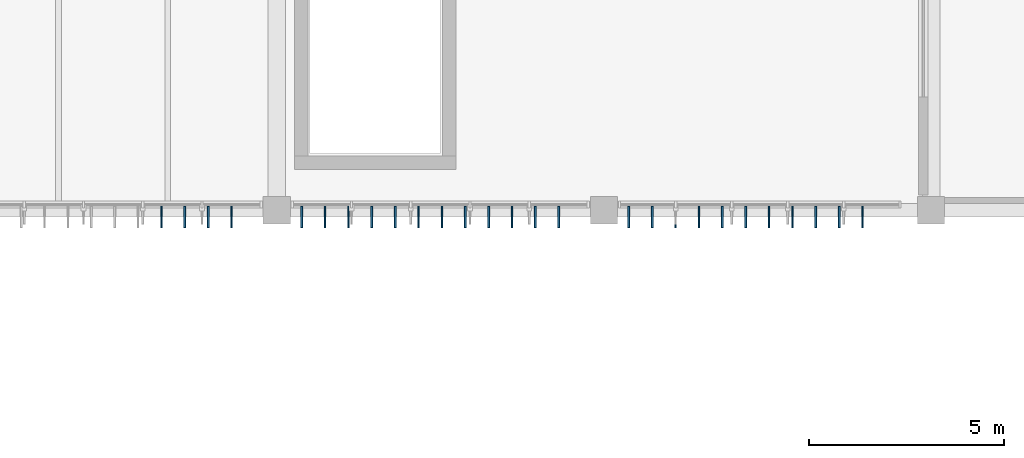
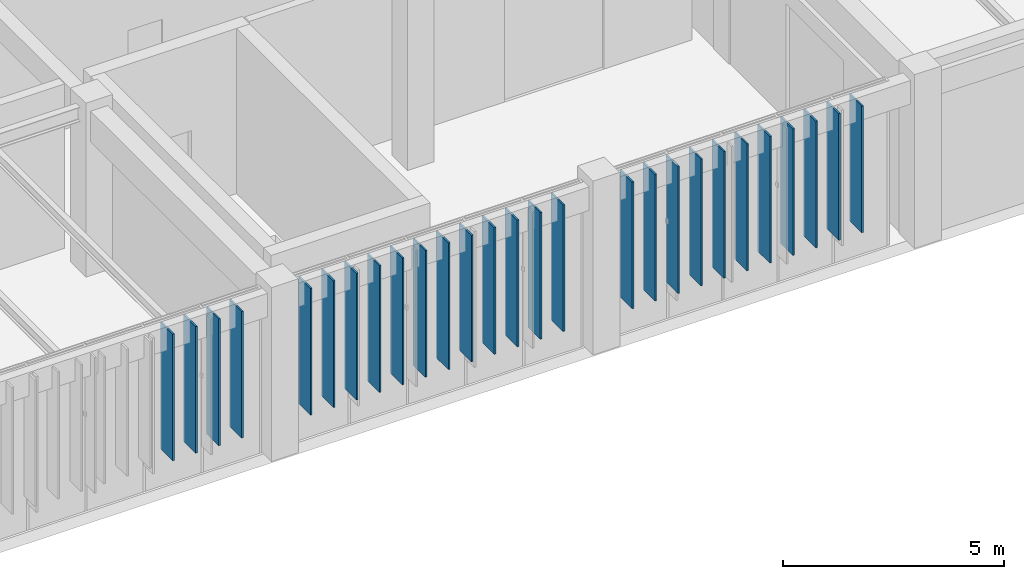
# One storey, part 28 of 122: 27 plates.
"""IFC4 building model written with IfcOpenShell, lengths in metres."""

from ifc_helpers import new_model, si_unit, direction, frame, origin, origin_2d, place, context, subcontext, project, spatial, rectangle, extrude, material, layer, layer_set, type_object, element, save


model = new_model("IFC4")

# Units and contexts
model_context = context("Model", 3, precision=1e-05, world=origin(), true_north=direction((0.0, 1.0)))
body_context = subcontext(model_context, "Body", "Model", "MODEL_VIEW")
ifc_project = project(units=[si_unit("LENGTHUNIT", "METRE"), si_unit("AREAUNIT", "SQUARE_METRE"), si_unit("VOLUMEUNIT", "CUBIC_METRE"), si_unit("PLANEANGLEUNIT", "RADIAN"), si_unit("MASSUNIT", "GRAM", prefix="KILO")], contexts=[model_context])

# Site, building, storey
site_placement = place(None, origin())
site = spatial("IfcSite", under=ifc_project, at=site_placement, CompositionType="ELEMENT")
building_placement = place(site_placement, origin())
building = spatial("IfcBuilding", under=site, at=building_placement, Name="Tazoul Stagehouse", CompositionType="ELEMENT")
storey_placement = place(building_placement, origin())
storey = spatial("IfcBuildingStorey", under=building, at=storey_placement, Name="L00", CompositionType="ELEMENT", Elevation=0.0)

# Plates
ifc_material = material(Name="Anodised Bronze Aluminium 6063-T6", Category="aluminium")
ifc_layer = layer(ifc_material, 0.550048828125, Name="Anodised Bronze Aluminium 6063-T6")
ifc_layer_set = layer_set([ifc_layer], Name="Anodised Bronze Aluminium 6063-T6")
plate_type = type_object("IfcPlateType", Name="Parametric Terracotta-Bronze Solar Fin 550x3500", PredefinedType="USERDEFINED", material=ifc_layer_set)
for number, where, z_axis, x_axis, name in (
    (1, (130.840087890625, 87.635009765625, 0.989990234375), (0.0, 0.0, 1.0), (1.0, 0.0, 0.0), "L00 Parametric Solar Fin SFN-21 (CW-V3-S2-L00-B1-09)"),
    (2, (131.43994140625, 87.635009765625, 0.989990234375), (0.0, 0.0, 1.0), (1.0, 0.0, 0.0), "L00 Parametric Solar Fin SFN-21 (CW-V3-S2-L00-B1-10)"),
    (3, (132.0400390625, 87.635009765625, 0.989990234375), (0.0, 0.0, 1.0), (1.0, 0.0, 0.0), "L00 Parametric Solar Fin SFN-21 (CW-V3-S2-L00-B1-11)"),
    (4, (132.639892578125, 87.635009765625, 0.989990234375), (0.0, 0.0, 1.0), (1.0, 0.0, 0.0), "L00 Parametric Solar Fin SFN-21 (CW-V3-S2-L00-B1-12)"),
    (5, (134.43994140625, 87.635009765625, 0.989990234375), (0.0, 0.0, 1.0), (1.0, 0.0, 0.0), "L00 Parametric Solar Fin SFN-21 (CW-V3-S2-L00-B2-01)"),
    (6, (135.0400390625, 87.635009765625, 0.989990234375), (0.0, 0.0, 1.0), (1.0, 0.0, 0.0), "L00 Parametric Solar Fin SFN-21 (CW-V3-S2-L00-B2-02)"),
    (7, (135.639892578125, 87.635009765625, 0.989990234375), (0.0, 0.0, 1.0), (1.0, 0.0, 0.0), "L00 Parametric Solar Fin SFN-21 (CW-V3-S2-L00-B2-03)"),
    (8, (136.239990234375, 87.635009765625, 0.989990234375), (0.0, 0.0, 1.0), (1.0, 0.0, 0.0), "L00 Parametric Solar Fin SFN-21 (CW-V3-S2-L00-B2-04)"),
    (9, (136.840087890625, 87.635009765625, 0.989990234375), (0.0, 0.0, 1.0), (1.0, 0.0, 0.0), "L00 Parametric Solar Fin SFN-21 (CW-V3-S2-L00-B2-05)"),
    (10, (137.43994140625, 87.635009765625, 0.989990234375), (0.0, 0.0, 1.0), (1.0, 0.0, 0.0), "L00 Parametric Solar Fin SFN-21 (CW-V3-S2-L00-B2-06)"),
    (11, (138.0400390625, 87.635009765625, 0.989990234375), (0.0, 0.0, 1.0), (1.0, 0.0, 0.0), "L00 Parametric Solar Fin SFN-21 (CW-V3-S2-L00-B2-07)"),
    (12, (138.639892578125, 87.635009765625, 0.989990234375), (0.0, 0.0, 1.0), (1.0, 0.0, 0.0), "L00 Parametric Solar Fin SFN-21 (CW-V3-S2-L00-B2-08)"),
    (13, (139.239990234375, 87.635009765625, 0.989990234375), (0.0, 0.0, 1.0), (1.0, 0.0, 0.0), "L00 Parametric Solar Fin SFN-21 (CW-V3-S2-L00-B2-09)"),
    (14, (139.840087890625, 87.635009765625, 0.989990234375), (0.0, 0.0, 1.0), (1.0, 0.0, 0.0), "L00 Parametric Solar Fin SFN-21 (CW-V3-S2-L00-B2-10)"),
    (15, (140.43994140625, 87.635009765625, 0.989990234375), (0.0, 0.0, 1.0), (1.0, 0.0, 0.0), "L00 Parametric Solar Fin SFN-21 (CW-V3-S2-L00-B2-11)"),
    (16, (141.0400390625, 87.635009765625, 0.989990234375), (0.0, 0.0, 1.0), (1.0, 0.0, 0.0), "L00 Parametric Solar Fin SFN-21 (CW-V3-S2-L00-B2-12)"),
    (17, (142.840087890625, 87.635009765625, 0.989990234375), (0.0, 0.0, 1.0), (1.0, 0.0, 0.0), "L00 Parametric Solar Fin SFN-21 (CW-V3-S2-L00-B3-01)"),
    (18, (143.43994140625, 87.635009765625, 0.989990234375), (0.0, 0.0, 1.0), (1.0, 0.0, 0.0), "L00 Parametric Solar Fin SFN-21 (CW-V3-S2-L00-B3-02)"),
    (19, (144.0400390625, 87.635009765625, 0.989990234375), (0.0, 0.0, 1.0), (1.0, 0.0, 0.0), "L00 Parametric Solar Fin SFN-21 (CW-V3-S2-L00-B3-03)"),
    (20, (144.639892578125, 87.635009765625, 0.989990234375), (0.0, 0.0, 1.0), (1.0, 0.0, 0.0), "L00 Parametric Solar Fin SFN-21 (CW-V3-S2-L00-B3-04)"),
    (21, (145.239990234375, 87.635009765625, 0.989990234375), (0.0, 0.0, 1.0), (1.0, 0.0, 0.0), "L00 Parametric Solar Fin SFN-21 (CW-V3-S2-L00-B3-05)"),
    (22, (145.840087890625, 87.635009765625, 0.989990234375), (0.0, 0.0, 1.0), (1.0, 0.0, 0.0), "L00 Parametric Solar Fin SFN-21 (CW-V3-S2-L00-B3-06)"),
    (23, (146.43994140625, 87.635009765625, 0.989990234375), (0.0, 0.0, 1.0), (1.0, 0.0, 0.0), "L00 Parametric Solar Fin SFN-21 (CW-V3-S2-L00-B3-07)"),
    (24, (147.0400390625, 87.635009765625, 0.989990234375), (0.0, 0.0, 1.0), (1.0, 0.0, 0.0), "L00 Parametric Solar Fin SFN-21 (CW-V3-S2-L00-B3-08)"),
    (25, (147.639892578125, 87.635009765625, 0.989990234375), (0.0, 0.0, 1.0), (1.0, 0.0, 0.0), "L00 Parametric Solar Fin SFN-21 (CW-V3-S2-L00-B3-09)"),
    (26, (148.239990234375, 87.635009765625, 0.989990234375), (0.0, 0.0, 1.0), (1.0, 0.0, 0.0), "L00 Parametric Solar Fin SFN-21 (CW-V3-S2-L00-B3-10)"),
    (27, (148.840087890625, 87.635009765625, 0.989990234375), (0.0, 0.0, 1.0), (1.0, 0.0, 0.0), "L00 Parametric Solar Fin SFN-21 (CW-V3-S2-L00-B3-11)"),
):
    element("IfcPlate", number, at=place(storey_placement, frame(where, z_axis=z_axis, x_axis=x_axis)), inside=storey, type_object=plate_type, Name=name, ObjectType="SOLAR FIN", PredefinedType="USERDEFINED", context=body_context, shape_type="SweptSolid", body=[
        extrude(rectangle(XDim=0.044921875, YDim=0.550048828125, at=origin_2d()), origin(), (0.0, 0.0, 1.0), 3.5),
    ])

save(model, "model.ifc")
